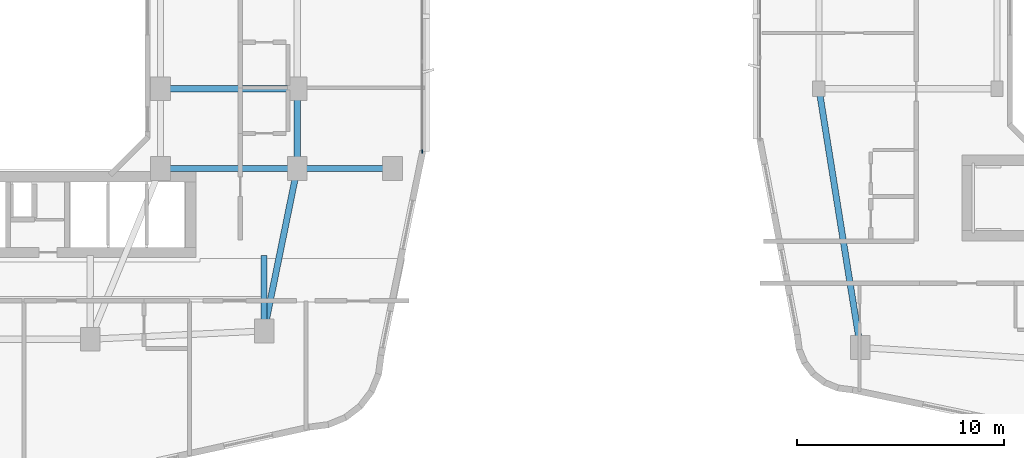
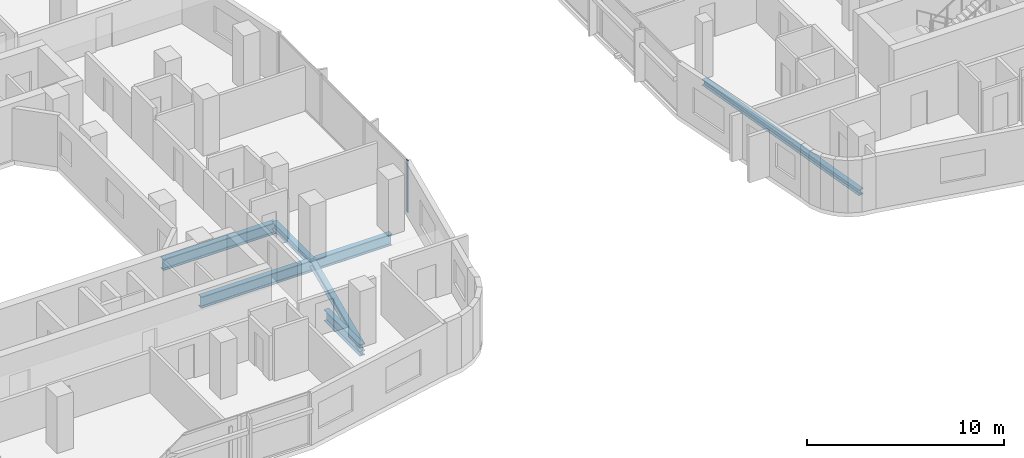
# One storey, part 4 of 27: 7 beams, 1 member, 1 element without a shape of its own.
"""IFC4 building model written with IfcOpenShell, lengths in metres."""

from ifc_helpers import new_model, si_unit, derived_unit, direction, frame, origin, origin_2d, place, context, subcontext, project, spatial, rectangle, i_section, extrude, material, layer, layer_set, material_profile, profile_set, type_object, element, aggregate, save


model = new_model("IFC4")

# Units and contexts
model_context = context("Model", 3, precision=1e-05, world=origin(), true_north=direction((0.0, 1.0)))
body_context = subcontext(model_context, "Body", "Model", "MODEL_VIEW")
ifc_project = project(units=[si_unit("LENGTHUNIT", "METRE"), si_unit("AREAUNIT", "SQUARE_METRE"), si_unit("VOLUMEUNIT", "CUBIC_METRE"), si_unit("PLANEANGLEUNIT", "RADIAN"), si_unit("MASSUNIT", "GRAM", prefix="KILO"), derived_unit("THERMALTRANSMITTANCEUNIT", [(si_unit("POWERUNIT", "WATT"), 1), (si_unit("LENGTHUNIT", "METRE"), -2), (si_unit("THERMODYNAMICTEMPERATUREUNIT", "KELVIN"), -1)])], contexts=[model_context])

# Site, building, storey
site_placement = place(None, origin())
site = spatial("IfcSite", under=ifc_project, at=site_placement, CompositionType="ELEMENT")
building_placement = place(site_placement, origin())
building = spatial("IfcBuilding", under=site, at=building_placement, Name="Kivonza Crest Hotel", CompositionType="ELEMENT")
storey_placement = place(building_placement, frame((0.0, 0.0, 73.0)))
storey = spatial("IfcBuildingStorey", under=building, at=storey_placement, Name="L19", CompositionType="ELEMENT", Elevation=73.0)

# Beams
ifc_material_1 = material(Name="Steel S355", Category="steel")
ifc_material_profile_1 = material_profile(ifc_material_1, i_section(OverallWidth=0.300048828125, OverallDepth=0.360107421875, WebThickness=0.012451171875, FlangeThickness=0.0224609375, FilletRadius=0.027099609375, at=origin_2d()), Name="HEB 360")
ifc_profile_set_1 = profile_set([ifc_material_profile_1], Name="Steel S355")
beam_type_1 = type_object("IfcBeamType", Name="BM-HEB360", PredefinedType="SPANDREL", material=ifc_profile_set_1)
beam_1_placement = place(storey_placement, frame((61.0, 21.5, -0.429931640625), z_axis=(0.157990501107, -0.987440631917, 0.0), x_axis=(0.987440631917, 0.157990501107, 0.0)))
element("IfcBeam", 1, at=beam_1_placement, inside=storey, type_object=beam_type_1, Name="Companion Tower T2 L19 perimeter spandrel W1-SW", PredefinedType="SPANDREL", context=body_context, shape_type="SweptSolid", body=[
    extrude(i_section(OverallWidth=0.300048828125, OverallDepth=0.360107421875, WebThickness=0.012451171875, FlangeThickness=0.0224609375, FilletRadius=0.027099609375, at=origin_2d()), origin(), (0.0, 0.0, 1.0), 12.658935546875),
])
ifc_material_profile_2 = material_profile(ifc_material_1, i_section(OverallWidth=0.300048828125, OverallDepth=0.449951171875, WebThickness=0.013916015625, FlangeThickness=0.02587890625, FilletRadius=0.027099609375, at=origin_2d()), Name="HEB 450")
ifc_profile_set_2 = profile_set([ifc_material_profile_2], Name="Steel S355")
beam_type_2 = type_object("IfcBeamType", Name="BM-HEB450", PredefinedType="SPANDREL", material=ifc_profile_set_2)
beam_2_placement = place(storey_placement, frame((34.199951171875, 9.800048828125, -0.5048828125), z_axis=(0.199730733965, 0.979850822273, 0.0), x_axis=(-0.979850822273, 0.199730733965, 0.0)))
element("IfcBeam", 2, at=beam_2_placement, inside=storey, type_object=beam_type_2, Name="Tower T1 L19 perimeter spandrel SE-PSE", PredefinedType="SPANDREL", context=body_context, shape_type="SweptSolid", body=[
    extrude(i_section(OverallWidth=0.300048828125, OverallDepth=0.449951171875, WebThickness=0.013916015625, FlangeThickness=0.02587890625, FilletRadius=0.027099609375, at=origin_2d()), origin(), (0.0, 0.0, 1.0), 8.01123046875),
])
beam_3_placement = place(storey_placement, frame((35.800048828125, 17.64990234375, -0.5048828125), z_axis=(0.0, 1.0, 0.0), x_axis=(-1.0, 0.0, 0.0)))
element("IfcBeam", 3, at=beam_3_placement, inside=storey, type_object=beam_type_2, Name="Tower T1 L19 perimeter spandrel PSE-E1", PredefinedType="SPANDREL", context=body_context, shape_type="SweptSolid", body=[
    extrude(i_section(OverallWidth=0.300048828125, OverallDepth=0.449951171875, WebThickness=0.013916015625, FlangeThickness=0.02587890625, FilletRadius=0.027099609375, at=origin_2d()), origin(), (0.0, 0.0, 1.0), 3.85009765625),
])
ifc_material_profile_3 = material_profile(ifc_material_1, i_section(OverallWidth=0.300048828125, OverallDepth=0.699951171875, WebThickness=0.01708984375, FlangeThickness=0.031982421875, FilletRadius=0.027099609375, at=origin_2d()), Name="HEB 700")
ifc_profile_set_3 = profile_set([ifc_material_profile_3], Name="Steel S355")
beam_type_3 = type_object("IfcBeamType", Name="BM-HEB700", PredefinedType="BEAM", material=ifc_profile_set_3)
for number, where, z_axis, x_axis, name in (
    (4, (29.199951171875, 17.64990234375, -0.6298828125), (1.0, 0.0, 0.0), (0.0, 1.0, 0.0), "Tower T1 L19 primary girder TSE-PSE"),
    (5, (29.199951171875, 21.5, -0.6298828125), (1.0, 0.0, 0.0), (0.0, 1.0, 0.0), "Tower T1 L19 primary girder WR1-E1"),
):
    element("IfcBeam", number, at=place(storey_placement, frame(where, z_axis=z_axis, x_axis=x_axis)), inside=storey, type_object=beam_type_3, Name=name, PredefinedType="BEAM", context=body_context, shape_type="SweptSolid", body=[
        extrude(i_section(OverallWidth=0.300048828125, OverallDepth=0.699951171875, WebThickness=0.01708984375, FlangeThickness=0.031982421875, FilletRadius=0.027099609375, at=origin_2d()), origin(), (0.0, 0.0, 1.0), 6.60009765625),
    ])
beam_4_placement = place(storey_placement, frame((40.39990234375, 17.64990234375, -0.6298828125), z_axis=(-1.0, 0.0, 0.0), x_axis=(0.0, -1.0, 0.0)))
element("IfcBeam", 6, at=beam_4_placement, inside=storey, type_object=beam_type_3, Name="Tower T1 L19 outer bay girder ZE1", PredefinedType="BEAM", context=body_context, shape_type="SweptSolid", body=[
    extrude(i_section(OverallWidth=0.300048828125, OverallDepth=0.699951171875, WebThickness=0.01708984375, FlangeThickness=0.031982421875, FilletRadius=0.027099609375, at=origin_2d()), origin(), (0.0, 0.0, 1.0), 4.599853515625),
])
beam_5_placement = place(storey_placement, frame((34.199951171875, 9.800048828125, -0.6298828125), z_axis=(0.0, 1.0, 0.0), x_axis=(-1.0, 0.0, 0.0)))
element("IfcBeam", 7, at=beam_5_placement, inside=storey, type_object=beam_type_3, Name="Tower T1 L19 radial core girder RSE", PredefinedType="BEAM", context=body_context, shape_type="SweptSolid", body=[
    extrude(i_section(OverallWidth=0.300048828125, OverallDepth=0.699951171875, WebThickness=0.01708984375, FlangeThickness=0.031982421875, FilletRadius=0.027099609375, at=origin_2d()), origin(), (0.0, 0.0, 1.0), 3.64990234375),
])

# Curtain wall, member
ifc_material_2 = material(Name="Anodised bronze aluminium and low-E double glazing", Category="aluminium")
ifc_layer = layer(ifc_material_2, 0.179931640625)
ifc_layer_set = layer_set([ifc_layer], Name="Anodised bronze aluminium and low-E double glazing")
curtain_wall_type = type_object("IfcCurtainWallType", Name="CW-SYS-2", PredefinedType="NOTDEFINED", material=ifc_layer_set)
curtain_wall_placement = place(storey_placement, origin())
curtain_wall = element("IfcCurtainWall", 8, at=curtain_wall_placement, inside=storey, type_object=curtain_wall_type, Name="L19 unitised curtain wall CW-T1-L19-17", PredefinedType="NOTDEFINED")
ifc_material_3 = material(Name="Anodised bronze aluminium", Category="aluminium")
ifc_material_profile_4 = material_profile(ifc_material_3, rectangle(XDim=0.06494140625, YDim=0.179931640625, at=origin_2d()), Name="CW-M 65x180")
ifc_profile_set_4 = profile_set([ifc_material_profile_4], Name="Anodised bronze aluminium")
member_type = type_object("IfcMemberType", Name="CW-MUL-65x180", PredefinedType="MULLION", material=ifc_profile_set_4)
member_placement = place(storey_placement, frame((41.840087890625, 18.472412109375, 0.0), z_axis=(0.0, 0.0, 1.0), x_axis=(-1.0, 0.0, 0.0)))
member = element("IfcMember", 9, at=member_placement, type_object=member_type, Name="CW-2 mullion 1", PredefinedType="MULLION", context=body_context, shape_type="SweptSolid", body=[
    extrude(rectangle(XDim=0.06494140625, YDim=0.179931640625, at=origin_2d()), origin(), (0.0, 0.0, 1.0), 3.219970703125),
])
aggregate(curtain_wall, [member])

save(model, "model.ifc")
